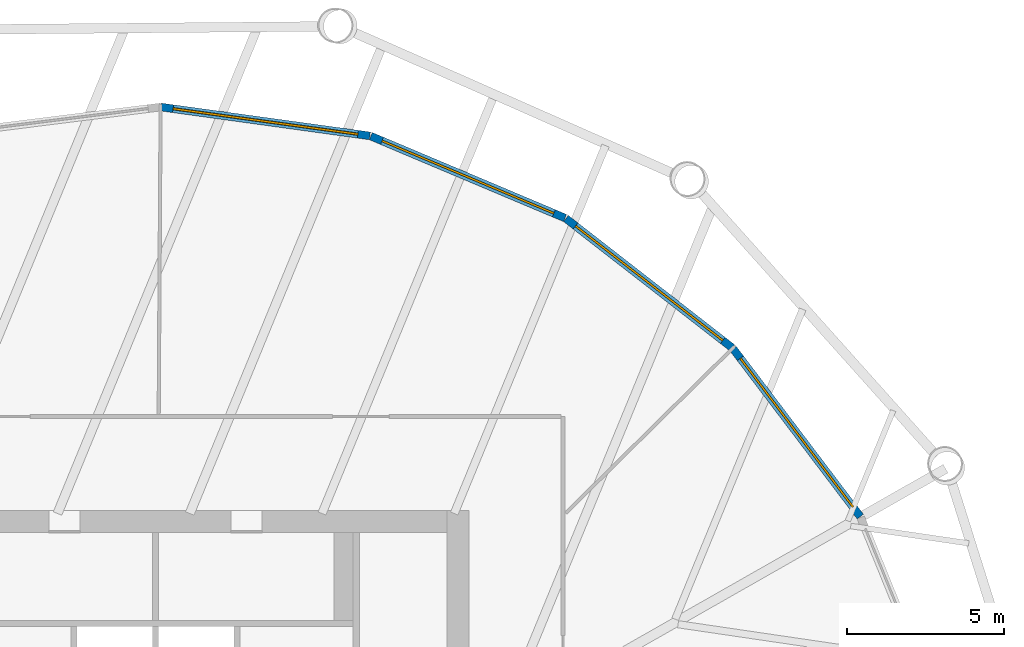
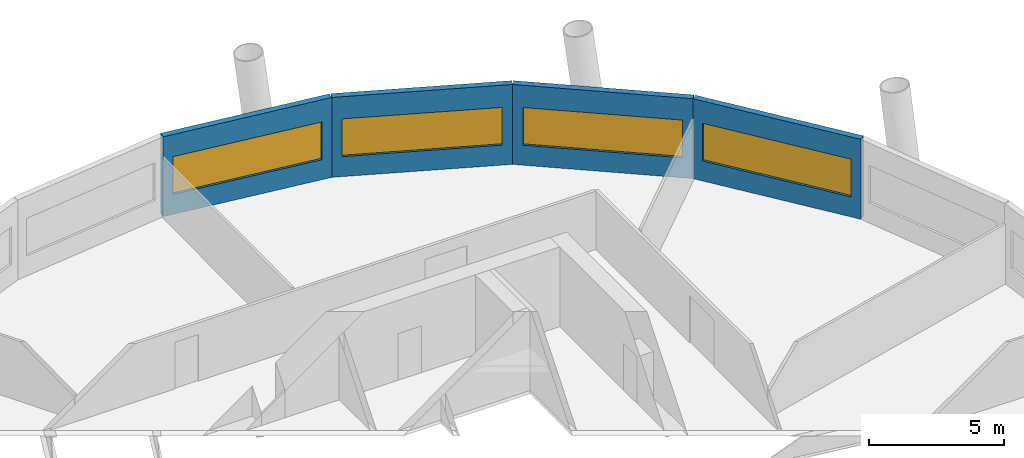
# One storey, part 7 of 11: 4 walls, 4 windows, 4 openings.
"""IFC4 building model written with IfcOpenShell, lengths in metres."""

from ifc_helpers import new_model, si_unit, direction, frame, frame_2d, origin, place, context, subcontext, project, spatial, rectangle, extrude, material, layer, layer_set, type_object, element, fill, save


model = new_model("IFC4")

# Units and contexts
model_context = context("Model", 3, precision=1e-05, world=origin(), true_north=direction((0.0, 1.0)))
body_context = subcontext(model_context, "Body", "Model", "MODEL_VIEW")
ifc_project = project(units=[si_unit("LENGTHUNIT", "METRE"), si_unit("AREAUNIT", "SQUARE_METRE"), si_unit("VOLUMEUNIT", "CUBIC_METRE"), si_unit("PLANEANGLEUNIT", "RADIAN"), si_unit("MASSUNIT", "GRAM", prefix="KILO")], contexts=[model_context])

# Site, building, storey
site_placement = place(None, origin())
site = spatial("IfcSite", under=ifc_project, at=site_placement, CompositionType="ELEMENT")
building_placement = place(site_placement, origin())
building = spatial("IfcBuilding", under=site, at=building_placement, Name="Tarsis Ring Headquarters", CompositionType="ELEMENT")
storey_placement = place(building_placement, frame((0.0, 0.0, 190.5)))
storey = spatial("IfcBuildingStorey", under=building, at=storey_placement, Name="L44", CompositionType="ELEMENT", Elevation=190.5)

# Wall, opening, window
ifc_material_1 = material(Name="Terracotta clad insulated panel wall", Category="masonry")
ifc_layer = layer(ifc_material_1, 0.25)
ifc_layer_set = layer_set([ifc_layer], Name="Facade wall terracotta panel 250")
wall_type = type_object("IfcWallType", Name="Facade wall terracotta panel 250", PredefinedType="STANDARD", material=ifc_layer_set)
wall_1_placement = place(storey_placement, frame((22.478271484375, 12.80908203125, 0.0), z_axis=(0.0, 0.0, 1.0), x_axis=(-0.603753483305, 0.797171080382, 0.0)))
wall_1 = element("IfcWall", 1, at=wall_1_placement, inside=storey, type_object=wall_type, Name="External wall L44-24", PredefinedType="STANDARD", context=body_context, shape_type="SweptSolid", body=[
    extrude(rectangle(XDim=6.721435546875, YDim=0.25, at=frame_2d((3.36083984375, 0.0))), origin(), (0.0, 0.0, 1.0), 3.60009765625),
])
opening_1_placement = place(wall_1_placement, frame((0.3857421875, 0.0, 0.89990234375)))
opening_1 = element("IfcOpeningElement", 2, at=opening_1_placement, cuts=wall_1, Name="Opening WN07", PredefinedType="OPENING", context=body_context, shape_type="SweptSolid", body=[
    extrude(rectangle(XDim=5.949951171875, YDim=1.699951171875, at=frame_2d((2.97509765625, 0.85009765625))), frame((0.0, 0.135009765625, 0.0), z_axis=(0.0, -1.0, 0.0), x_axis=(1.0, 0.0, 0.0)), (0.0, 0.0, 1.0), 0.27001953125),
])
ifc_material_2 = material(Name="Aluminium framed double glazing", Category="aluminium")
window_type = type_object("IfcWindowType", Name="Facade window 5950 x 1700", PartitioningType="SINGLE_PANEL", PredefinedType="WINDOW", material=ifc_material_2)
window_1_placement = place(opening_1_placement, origin())
window_1 = element("IfcWindow", 3, at=window_1_placement, inside=storey, type_object=window_type, Name="Window L44-24.1", OverallHeight=1.699951171875, OverallWidth=5.949951171875, PartitioningType="SINGLE_PANEL", PredefinedType="WINDOW", context=body_context, shape_type="SweptSolid", body=[
    extrude(rectangle(XDim=5.949951171875, YDim=1.699951171875, at=frame_2d((2.97509765625, 0.85009765625))), frame((0.0, 0.030029296875, 0.0), z_axis=(0.0, -1.0, 0.0), x_axis=(1.0, 0.0, 0.0)), (0.0, 0.0, 1.0), 0.06005859375),
])
fill(opening_1, window_1)

wall_2_placement = place(storey_placement, frame((18.397216796875, 18.1904296875, 0.0), z_axis=(0.0, 0.0, 1.0), x_axis=(-0.78950670287, 0.613741937725, 0.0)))
wall_2 = element("IfcWall", 4, at=wall_2_placement, inside=storey, type_object=wall_type, Name="External wall L44-25", PredefinedType="STANDARD", context=body_context, shape_type="SweptSolid", body=[
    extrude(rectangle(XDim=6.721435546875, YDim=0.25, at=frame_2d((3.36083984375, 0.0))), origin(), (0.0, 0.0, 1.0), 3.60009765625),
])
opening_2_placement = place(wall_2_placement, frame((0.3857421875, 0.0, 0.89990234375)))
opening_2 = element("IfcOpeningElement", 5, at=opening_2_placement, cuts=wall_2, Name="Opening WN07", PredefinedType="OPENING", context=body_context, shape_type="SweptSolid", body=[
    extrude(rectangle(XDim=5.949951171875, YDim=1.699951171875, at=frame_2d((2.97509765625, 0.85009765625))), frame((0.0, 0.135009765625, 0.0), z_axis=(0.0, -1.0, 0.0), x_axis=(1.0, 0.0, 0.0)), (0.0, 0.0, 1.0), 0.27001953125),
])
window_2_placement = place(opening_2_placement, origin())
window_2 = element("IfcWindow", 6, at=window_2_placement, inside=storey, type_object=window_type, Name="Window L44-25.1", OverallHeight=1.699951171875, OverallWidth=5.949951171875, PartitioningType="SINGLE_PANEL", PredefinedType="WINDOW", context=body_context, shape_type="SweptSolid", body=[
    extrude(rectangle(XDim=5.949951171875, YDim=1.699951171875, at=frame_2d((2.97509765625, 0.85009765625))), frame((0.0, 0.030029296875, 0.0), z_axis=(0.0, -1.0, 0.0), x_axis=(1.0, 0.0, 0.0)), (0.0, 0.0, 1.0), 0.06005859375),
])
fill(opening_2, window_2)

wall_3_placement = place(storey_placement, frame((13.062255859375, 22.33203125, 0.0), z_axis=(0.0, 0.0, 1.0), x_axis=(-0.921449301376, 0.388498629332, 0.0)))
wall_3 = element("IfcWall", 7, at=wall_3_placement, inside=storey, type_object=wall_type, Name="External wall L44-26", PredefinedType="STANDARD", context=body_context, shape_type="SweptSolid", body=[
    extrude(rectangle(XDim=6.7216796875, YDim=0.25, at=frame_2d((3.36083984375, 0.0))), origin(), (0.0, 0.0, 1.0), 3.60009765625),
])
opening_3_placement = place(wall_3_placement, frame((0.3857421875, 0.0, 0.89990234375)))
opening_3 = element("IfcOpeningElement", 8, at=opening_3_placement, cuts=wall_3, Name="Opening WN07", PredefinedType="OPENING", context=body_context, shape_type="SweptSolid", body=[
    extrude(rectangle(XDim=5.949951171875, YDim=1.699951171875, at=frame_2d((2.97509765625, 0.85009765625))), frame((0.0, 0.135009765625, 0.0), z_axis=(0.0, -1.0, 0.0), x_axis=(1.0, 0.0, 0.0)), (0.0, 0.0, 1.0), 0.27001953125),
])
window_3_placement = place(opening_3_placement, origin())
window_3 = element("IfcWindow", 9, at=window_3_placement, inside=storey, type_object=window_type, Name="Window L44-26.1", OverallHeight=1.699951171875, OverallWidth=5.949951171875, PartitioningType="SINGLE_PANEL", PredefinedType="WINDOW", context=body_context, shape_type="SweptSolid", body=[
    extrude(rectangle(XDim=5.949951171875, YDim=1.699951171875, at=frame_2d((2.97509765625, 0.85009765625))), frame((0.0, 0.030029296875, 0.0), z_axis=(0.0, -1.0, 0.0), x_axis=(1.0, 0.0, 0.0)), (0.0, 0.0, 1.0), 0.06005859375),
])
fill(opening_3, window_3)

wall_4_placement = place(storey_placement, frame((6.837158203125, 24.951904296875, 0.0), z_axis=(0.0, 0.0, 1.0), x_axis=(-0.990604677053, 0.13675662251, 0.0)))
wall_4 = element("IfcWall", 10, at=wall_4_placement, inside=storey, type_object=wall_type, Name="External wall L44-27", PredefinedType="STANDARD", context=body_context, shape_type="SweptSolid", body=[
    extrude(rectangle(XDim=6.721435546875, YDim=0.25, at=frame_2d((3.36083984375, 0.0))), origin(), (0.0, 0.0, 1.0), 3.60009765625),
])
opening_4_placement = place(wall_4_placement, frame((0.3857421875, 0.0, 0.89990234375)))
opening_4 = element("IfcOpeningElement", 11, at=opening_4_placement, cuts=wall_4, Name="Opening WN07", PredefinedType="OPENING", context=body_context, shape_type="SweptSolid", body=[
    extrude(rectangle(XDim=5.949951171875, YDim=1.699951171875, at=frame_2d((2.97509765625, 0.85009765625))), frame((0.0, 0.135009765625, 0.0), z_axis=(0.0, -1.0, 0.0), x_axis=(1.0, 0.0, 0.0)), (0.0, 0.0, 1.0), 0.27001953125),
])
window_4_placement = place(opening_4_placement, origin())
window_4 = element("IfcWindow", 12, at=window_4_placement, inside=storey, type_object=window_type, Name="Window L44-27.1", OverallHeight=1.699951171875, OverallWidth=5.949951171875, PartitioningType="SINGLE_PANEL", PredefinedType="WINDOW", context=body_context, shape_type="SweptSolid", body=[
    extrude(rectangle(XDim=5.949951171875, YDim=1.699951171875, at=frame_2d((2.97509765625, 0.85009765625))), frame((0.0, 0.030029296875, 0.0), z_axis=(0.0, -1.0, 0.0), x_axis=(1.0, 0.0, 0.0)), (0.0, 0.0, 1.0), 0.06005859375),
])
fill(opening_4, window_4)

save(model, "model.ifc")
